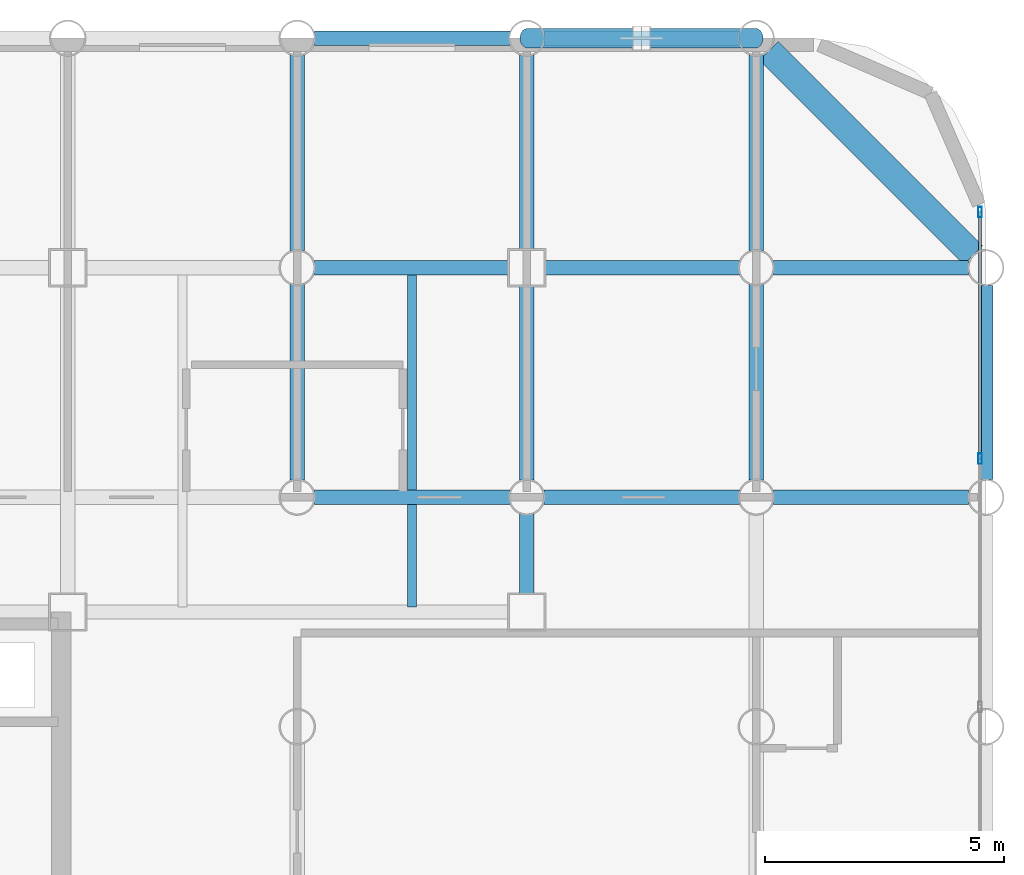
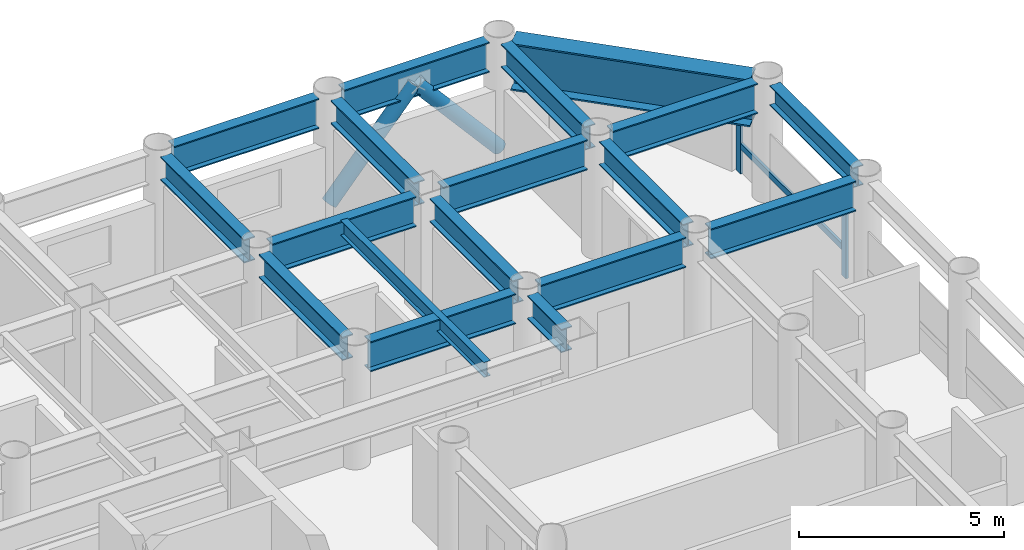
# One storey, part 13 of 20: 18 beams, 5 members, 1 element without a shape of its own.
"""IFC4 building model written with IfcOpenShell, lengths in metres."""

from ifc_helpers import new_model, si_unit, direction, frame, origin, origin_2d, place, context, subcontext, project, spatial, hollow_rectangle, hollow_circle, i_section, extrude, material, layer, layer_set, material_profile, profile_set, type_object, element, aggregate, save


model = new_model("IFC4")

# Units and contexts
model_context = context("Model", 3, precision=1e-05, world=origin(), true_north=direction((0.0, 1.0)))
body_context = subcontext(model_context, "Body", "Model", "MODEL_VIEW")
ifc_project = project(units=[si_unit("LENGTHUNIT", "METRE"), si_unit("AREAUNIT", "SQUARE_METRE"), si_unit("VOLUMEUNIT", "CUBIC_METRE"), si_unit("PLANEANGLEUNIT", "RADIAN"), si_unit("MASSUNIT", "GRAM", prefix="KILO")], contexts=[model_context])

# Site, building, storey
site_placement = place(None, origin())
site = spatial("IfcSite", under=ifc_project, at=site_placement, CompositionType="ELEMENT")
building_placement = place(site_placement, origin())
building = spatial("IfcBuilding", under=site, at=building_placement, Name="Kallvorn Hotel Tower", CompositionType="ELEMENT")
storey_placement = place(building_placement, frame((0.0, 0.0, 70.699951171875)))
storey = spatial("IfcBuildingStorey", under=building, at=storey_placement, Name="L16", CompositionType="ELEMENT", Elevation=70.699951171875)

# Beams
ifc_material_1 = material(Name="Structural steel S355JR", Category="steel")
ifc_material_profile_1 = material_profile(ifc_material_1, i_section(OverallWidth=0.300048828125, OverallDepth=0.60009765625, WebThickness=0.015380859375, FlangeThickness=0.030029296875, at=origin_2d()), Name="HE 600 B")
ifc_profile_set_1 = profile_set([ifc_material_profile_1], Name="Structural steel S355JR")
beam_type_1 = type_object("IfcBeamType", Name="BM_HE600B", PredefinedType="SPANDREL", material=ifc_profile_set_1)
beam_1_placement = place(storey_placement, frame((33.60009765625, 9.970947265625, 3.219970703125), z_axis=(0.0, 1.0, 0.0), x_axis=(-1.0, 0.0, 0.0)))
element("IfcBeam", 1, at=beam_1_placement, inside=storey, type_object=beam_type_1, Name="L17 Perimeter Spandrel 188", PredefinedType="SPANDREL", context=body_context, shape_type="SweptSolid", body=[
    extrude(i_section(OverallWidth=0.300048828125, OverallDepth=0.60009765625, WebThickness=0.015380859375, FlangeThickness=0.030029296875, at=origin_2d()), origin(), (0.0, 0.0, 1.0), 4.05810546875),
])
ifc_material_2 = material(Name="Structural steel S355JR", Category="steel")
ifc_material_profile_2 = material_profile(ifc_material_2, i_section(OverallWidth=0.300048828125, OverallDepth=0.699951171875, WebThickness=0.01708984375, FlangeThickness=0.031982421875, at=origin_2d()), Name="HE 700 B")
ifc_profile_set_2 = profile_set([ifc_material_profile_2], Name="Structural steel S355JR")
beam_type_2 = type_object("IfcBeamType", Name="BM_HE700B", PredefinedType="BEAM", material=ifc_profile_set_2)
for number, where, z_axis, x_axis, name in (
    (2, (19.199951171875, 9.9560546875, 3.170166015625), (0.0, 1.0, 0.0), (-1.0, 0.0, 0.0), "L17 Primary Y-Girder 133"),
    (3, (19.199951171875, 14.756103515625, 3.170166015625), (0.0, 1.0, 0.0), (-1.0, 0.0, 0.0), "L17 Primary Y-Girder 134"),
):
    element("IfcBeam", number, at=place(storey_placement, frame(where, z_axis=z_axis, x_axis=x_axis)), inside=storey, type_object=beam_type_2, Name=name, PredefinedType="BEAM", context=body_context, shape_type="SweptSolid", body=[
        extrude(i_section(OverallWidth=0.300048828125, OverallDepth=0.699951171875, WebThickness=0.01708984375, FlangeThickness=0.031982421875, at=origin_2d()), origin(), (0.0, 0.0, 1.0), 4.087890625),
    ])
beam_2_placement = place(storey_placement, frame((24.0, 7.574951171875, 3.170166015625), z_axis=(0.0, 1.0, 0.0), x_axis=(-1.0, 0.0, 0.0)))
element("IfcBeam", 4, at=beam_2_placement, inside=storey, type_object=beam_type_2, Name="L17 Primary Y-Girder 139", PredefinedType="BEAM", context=body_context, shape_type="SweptSolid", body=[
    extrude(i_section(OverallWidth=0.300048828125, OverallDepth=0.699951171875, WebThickness=0.01708984375, FlangeThickness=0.031982421875, at=origin_2d()), origin(), (0.0, 0.0, 1.0), 1.6689453125),
])
beam_3_placement = place(storey_placement, frame((24.0, 9.9560546875, 3.170166015625), z_axis=(0.0, 1.0, 0.0), x_axis=(-1.0, 0.0, 0.0)))
element("IfcBeam", 5, at=beam_3_placement, inside=storey, type_object=beam_type_2, Name="L17 Primary Y-Girder 140", PredefinedType="BEAM", context=body_context, shape_type="SweptSolid", body=[
    extrude(i_section(OverallWidth=0.300048828125, OverallDepth=0.699951171875, WebThickness=0.01708984375, FlangeThickness=0.031982421875, at=origin_2d()), origin(), (0.0, 0.0, 1.0), 4.06884765625),
])
beam_4_placement = place(storey_placement, frame((24.0, 14.77490234375, 3.170166015625), z_axis=(0.0, 1.0, 0.0), x_axis=(-1.0, 0.0, 0.0)))
element("IfcBeam", 6, at=beam_4_placement, inside=storey, type_object=beam_type_2, Name="L17 Primary Y-Girder 141", PredefinedType="BEAM", context=body_context, shape_type="SweptSolid", body=[
    extrude(i_section(OverallWidth=0.300048828125, OverallDepth=0.699951171875, WebThickness=0.01708984375, FlangeThickness=0.031982421875, at=origin_2d()), origin(), (0.0, 0.0, 1.0), 4.069091796875),
])
for number, where, z_axis, x_axis, name in (
    (7, (28.800048828125, 9.9560546875, 3.170166015625), (0.0, 1.0, 0.0), (-1.0, 0.0, 0.0), "L17 Primary Y-Girder 149"),
    (8, (28.800048828125, 14.756103515625, 3.170166015625), (0.0, 1.0, 0.0), (-1.0, 0.0, 0.0), "L17 Primary Y-Girder 150"),
):
    element("IfcBeam", number, at=place(storey_placement, frame(where, z_axis=z_axis, x_axis=x_axis)), inside=storey, type_object=beam_type_2, Name=name, PredefinedType="BEAM", context=body_context, shape_type="SweptSolid", body=[
        extrude(i_section(OverallWidth=0.300048828125, OverallDepth=0.699951171875, WebThickness=0.01708984375, FlangeThickness=0.031982421875, at=origin_2d()), origin(), (0.0, 0.0, 1.0), 4.087890625),
    ])
ifc_material_3 = material(Name="Structural steel S355JR", Category="steel")
ifc_material_profile_3 = material_profile(ifc_material_3, i_section(OverallWidth=0.300048828125, OverallDepth=0.89990234375, WebThickness=0.0185546875, FlangeThickness=0.034912109375, at=origin_2d()), Name="HE 900 B")
ifc_profile_set_3 = profile_set([ifc_material_profile_3], Name="Structural steel S355JR")
beam_type_3 = type_object("IfcBeamType", Name="BM_HE900B", PredefinedType="BEAM", material=ifc_profile_set_3)
for number, where, z_axis, x_axis, name in (
    (9, (19.555908203125, 9.60009765625, 3.070068359375), (1.0, 0.0, 0.0), (0.0, 1.0, 0.0), "L17 Primary X-Girder 48"),
    (10, (24.35595703125, 9.60009765625, 3.070068359375), (1.0, 0.0, 0.0), (0.0, 1.0, 0.0), "L17 Primary X-Girder 49"),
):
    element("IfcBeam", number, at=place(storey_placement, frame(where, z_axis=z_axis, x_axis=x_axis)), inside=storey, type_object=beam_type_3, Name=name, PredefinedType="BEAM", context=body_context, shape_type="SweptSolid", body=[
        extrude(i_section(OverallWidth=0.300048828125, OverallDepth=0.89990234375, WebThickness=0.0185546875, FlangeThickness=0.034912109375, at=origin_2d()), origin(), (0.0, 0.0, 1.0), 4.088134765625),
    ])
beam_5_placement = place(storey_placement, frame((29.156005859375, 9.60009765625, 3.070068359375), z_axis=(1.0, 0.0, 0.0), x_axis=(0.0, 1.0, 0.0)))
element("IfcBeam", 11, at=beam_5_placement, inside=storey, type_object=beam_type_3, Name="L17 Primary X-Girder 50", PredefinedType="BEAM", context=body_context, shape_type="SweptSolid", body=[
    extrude(i_section(OverallWidth=0.300048828125, OverallDepth=0.89990234375, WebThickness=0.0185546875, FlangeThickness=0.034912109375, at=origin_2d()), origin(), (0.0, 0.0, 1.0), 4.087890625),
])
for number, where, z_axis, x_axis, name in (
    (12, (19.555908203125, 14.39990234375, 3.070068359375), (1.0, 0.0, 0.0), (0.0, 1.0, 0.0), "L17 Primary X-Girder 58"),
    (13, (24.375, 14.39990234375, 3.070068359375), (1.0, 0.0, 0.0), (0.0, 1.0, 0.0), "L17 Primary X-Girder 59"),
):
    element("IfcBeam", number, at=place(storey_placement, frame(where, z_axis=z_axis, x_axis=x_axis)), inside=storey, type_object=beam_type_3, Name=name, PredefinedType="BEAM", context=body_context, shape_type="SweptSolid", body=[
        extrude(i_section(OverallWidth=0.300048828125, OverallDepth=0.89990234375, WebThickness=0.0185546875, FlangeThickness=0.034912109375, at=origin_2d()), origin(), (0.0, 0.0, 1.0), 4.069091796875),
    ])
beam_6_placement = place(storey_placement, frame((29.156005859375, 14.39990234375, 3.070068359375), z_axis=(1.0, 0.0, 0.0), x_axis=(0.0, 1.0, 0.0)))
element("IfcBeam", 14, at=beam_6_placement, inside=storey, type_object=beam_type_3, Name="L17 Primary X-Girder 60", PredefinedType="BEAM", context=body_context, shape_type="SweptSolid", body=[
    extrude(i_section(OverallWidth=0.300048828125, OverallDepth=0.89990234375, WebThickness=0.0185546875, FlangeThickness=0.034912109375, at=origin_2d()), origin(), (0.0, 0.0, 1.0), 4.087890625),
])
for number, where, z_axis, x_axis, name in (
    (15, (19.555908203125, 19.199951171875, 3.070068359375), (1.0, 0.0, 0.0), (0.0, 1.0, 0.0), "L17 Primary X-Girder 71"),
    (16, (24.35595703125, 19.199951171875, 3.070068359375), (1.0, 0.0, 0.0), (0.0, 1.0, 0.0), "L17 Primary X-Girder 72"),
):
    element("IfcBeam", number, at=place(storey_placement, frame(where, z_axis=z_axis, x_axis=x_axis)), inside=storey, type_object=beam_type_3, Name=name, PredefinedType="BEAM", context=body_context, shape_type="SweptSolid", body=[
        extrude(i_section(OverallWidth=0.300048828125, OverallDepth=0.89990234375, WebThickness=0.0185546875, FlangeThickness=0.034912109375, at=origin_2d()), origin(), (0.0, 0.0, 1.0), 4.088134765625),
    ])
ifc_material_4 = material(Name="Structural steel S355JR", Category="steel")
ifc_material_profile_4 = material_profile(ifc_material_4, i_section(OverallWidth=0.18994140625, OverallDepth=0.449951171875, WebThickness=0.009521484375, FlangeThickness=0.0146484375, at=origin_2d()), Name="IPE 450")
ifc_profile_set_4 = profile_set([ifc_material_profile_4], Name="Structural steel S355JR")
beam_type_4 = type_object("IfcBeamType", Name="BM_IPE450", PredefinedType="JOIST", material=ifc_profile_set_4)
beam_7_placement = place(storey_placement, frame((21.60009765625, 7.300048828125, 3.295166015625), z_axis=(0.0, 1.0, 0.0), x_axis=(-1.0, 0.0, 0.0)))
element("IfcBeam", 17, at=beam_7_placement, inside=storey, type_object=beam_type_4, Name="L17 Secondary Composite Joist 209", PredefinedType="JOIST", context=body_context, shape_type="SweptSolid", body=[
    extrude(i_section(OverallWidth=0.18994140625, OverallDepth=0.449951171875, WebThickness=0.009521484375, FlangeThickness=0.0146484375, at=origin_2d()), origin(), (0.0, 0.0, 1.0), 7.0),
])
ifc_material_5 = material(Name="Structural steel S355JR", Category="steel")
ifc_material_profile_5 = material_profile(ifc_material_5, i_section(OverallWidth=0.550048828125, OverallDepth=1.39990234375, WebThickness=0.02490234375, FlangeThickness=0.044921875, at=origin_2d()), Name="PG 1400x550x25x45")
ifc_profile_set_5 = profile_set([ifc_material_profile_5], Name="Structural steel S355JR")
beam_type_5 = type_object("IfcBeamType", Name="BM_PG_1400", PredefinedType="BEAM", material=ifc_profile_set_5)
beam_8_placement = place(storey_placement, frame((33.337646484375, 14.662353515625, 2.820068359375), z_axis=(-0.707106781187, 0.707106781187, 0.0), x_axis=(-0.707106781187, -0.707106781187, 0.0)))
element("IfcBeam", 18, at=beam_8_placement, inside=storey, type_object=beam_type_5, Name="L17 Rounded Corner Tie Beam 191", PredefinedType="BEAM", context=body_context, shape_type="SweptSolid", body=[
    extrude(i_section(OverallWidth=0.550048828125, OverallDepth=1.39990234375, WebThickness=0.02490234375, FlangeThickness=0.044921875, at=origin_2d()), origin(), (0.0, 0.0, 1.0), 6.04638671875),
])

# Curtain wall, members
ifc_material_6 = material(Name="Thermally broken black-anodised aluminium AA 6063-T6", Category="aluminium")
ifc_layer = layer(ifc_material_6, 0.199951171875)
ifc_layer_set = layer_set([ifc_layer], Name="CW_SYS_3_HOTEL_LOW")
curtain_wall_type = type_object("IfcCurtainWallType", Name="CW_SYS_3_HOTEL_LOW", PredefinedType="USERDEFINED", material=ifc_layer_set)
curtain_wall_placement = place(storey_placement, origin())
curtain_wall = element("IfcCurtainWall", 19, at=curtain_wall_placement, inside=storey, type_object=curtain_wall_type, Name="L16 Dark-Glass Curtain Wall CW-L16-EN", ObjectType="UNITISED CURTAIN WALL", PredefinedType="USERDEFINED")
ifc_material_7 = material(Name="Thermally broken black-anodised aluminium AA 6063-T6", Category="aluminium")
ifc_material_profile_6 = material_profile(ifc_material_7, hollow_rectangle(XDim=0.080078125, YDim=0.219970703125, WallThickness=0.0048828125, at=origin_2d()), Name="MUL 220x80")
ifc_profile_set_6 = profile_set([ifc_material_profile_6], Name="Thermally broken black-anodised aluminium AA 6063-T6")
member_type_1 = type_object("IfcMemberType", Name="CW_MULLION_220x80", PredefinedType="MULLION", material=ifc_profile_set_6)
member_1_placement = place(storey_placement, frame((33.47998046875, 10.40673828125, 0.02001953125), z_axis=(0.0, 0.0, 1.0), x_axis=(1.0, 0.0, 0.0)))
member_1 = element("IfcMember", 20, at=member_1_placement, type_object=member_type_1, Name="CW-L16-EN Mullion 02", PredefinedType="MULLION", context=body_context, shape_type="SweptSolid", body=[
    extrude(hollow_rectangle(XDim=0.080078125, YDim=0.219970703125, WallThickness=0.0048828125, at=origin_2d()), origin(), (0.0, 0.0, 1.0), 2.080078125),
])
member_2_placement = place(storey_placement, frame((33.47998046875, 15.56005859375, 0.02001953125), z_axis=(0.0, 0.0, 1.0), x_axis=(1.0, 0.0, 0.0)))
member_2 = element("IfcMember", 21, at=member_2_placement, type_object=member_type_1, Name="CW-L16-EN Mullion 03", PredefinedType="MULLION", context=body_context, shape_type="SweptSolid", body=[
    extrude(hollow_rectangle(XDim=0.080078125, YDim=0.219970703125, WallThickness=0.0048828125, at=origin_2d()), origin(), (0.0, 0.0, 1.0), 2.080078125),
])
ifc_material_8 = material(Name="Thermally broken black-anodised aluminium AA 6063-T6", Category="aluminium")
ifc_material_profile_7 = material_profile(ifc_material_8, hollow_rectangle(XDim=0.070068359375, YDim=0.179931640625, WallThickness=0.00390625, at=origin_2d()), Name="TRN 180x70")
ifc_profile_set_7 = profile_set([ifc_material_profile_7], Name="Thermally broken black-anodised aluminium AA 6063-T6")
member_type_2 = type_object("IfcMemberType", Name="CW_TRANSOM_180x70", PredefinedType="USERDEFINED", material=ifc_profile_set_7)
member_3_placement = place(storey_placement, frame((33.47998046875, 10.44677734375, 0.85009765625), z_axis=(0.0, 1.0, 0.0), x_axis=(-1.0, 0.0, 0.0)))
member_3 = element("IfcMember", 22, at=member_3_placement, type_object=member_type_2, Name="CW-L16-EN Transom 02M", ObjectType="TRANSOM", PredefinedType="USERDEFINED", context=body_context, shape_type="SweptSolid", body=[
    extrude(hollow_rectangle(XDim=0.070068359375, YDim=0.179931640625, WallThickness=0.00390625, at=origin_2d()), origin(), (0.0, 0.0, 1.0), 5.11328125),
])
aggregate(curtain_wall, [member_1, member_2, member_3])

# Members
ifc_material_9 = material(Name="Structural steel S355J2H", Category="steel")
ifc_material_profile_8 = material_profile(ifc_material_9, hollow_circle(Radius=0.203125, WallThickness=0.01611328125, at=origin_2d()), Name="CHS 406.4x16")
ifc_profile_set_8 = profile_set([ifc_material_profile_8], Name="Structural steel S355J2H")
member_type_3 = type_object("IfcMemberType", Name="MBR_EXO_CHS406", PredefinedType="BRACE", material=ifc_profile_set_8)
for number, where, z_axis, x_axis, name in (
    (23, (24.01318359375, 19.199951171875, 0.195068359375), (0.653427382465, 0.0, 0.756989204576), (0.0, 1.0, 0.0), "L16 Exoskeleton K-Brace N2A"),
    (24, (28.786865234375, 19.199951171875, 0.195068359375), (-0.653427382465, 0.0, 0.756989204576), (0.0, -1.0, 0.0), "L16 Exoskeleton K-Brace N2B"),
):
    element("IfcMember", number, at=place(storey_placement, frame(where, z_axis=z_axis, x_axis=x_axis)), inside=storey, type_object=member_type_3, Name=name, PredefinedType="BRACE", context=body_context, shape_type="SweptSolid", body=[
        extrude(hollow_circle(Radius=0.203125, WallThickness=0.01611328125, at=origin_2d()), origin(), (0.0, 0.0, 1.0), 3.6328125),
    ])

save(model, "model.ifc")
